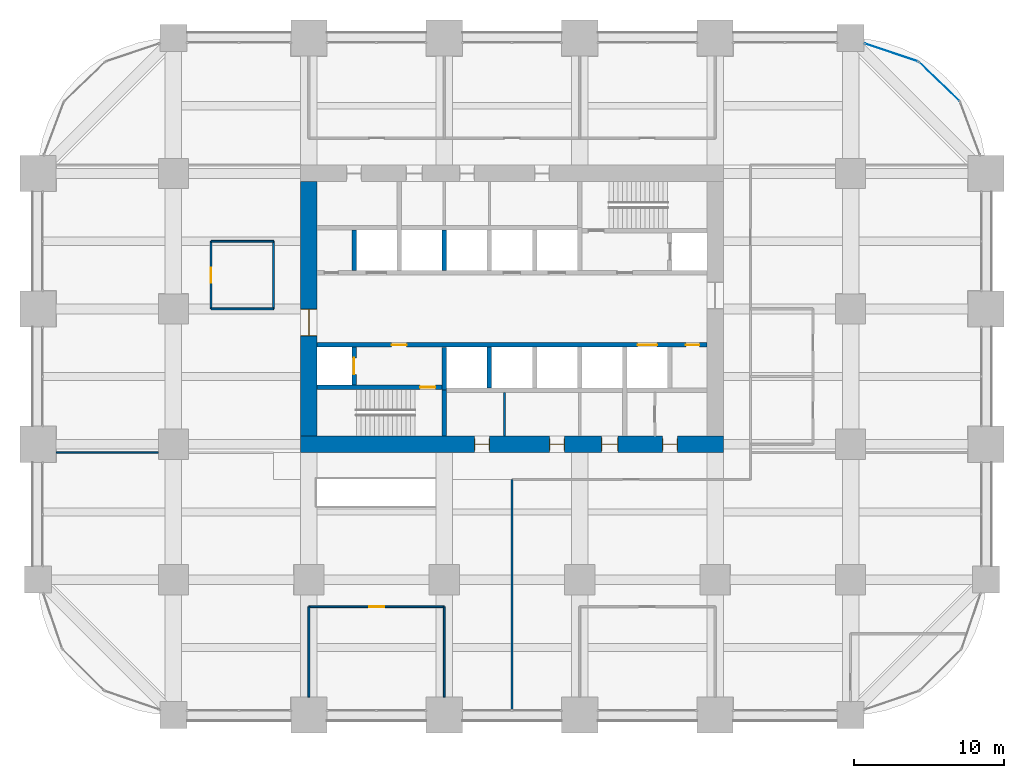
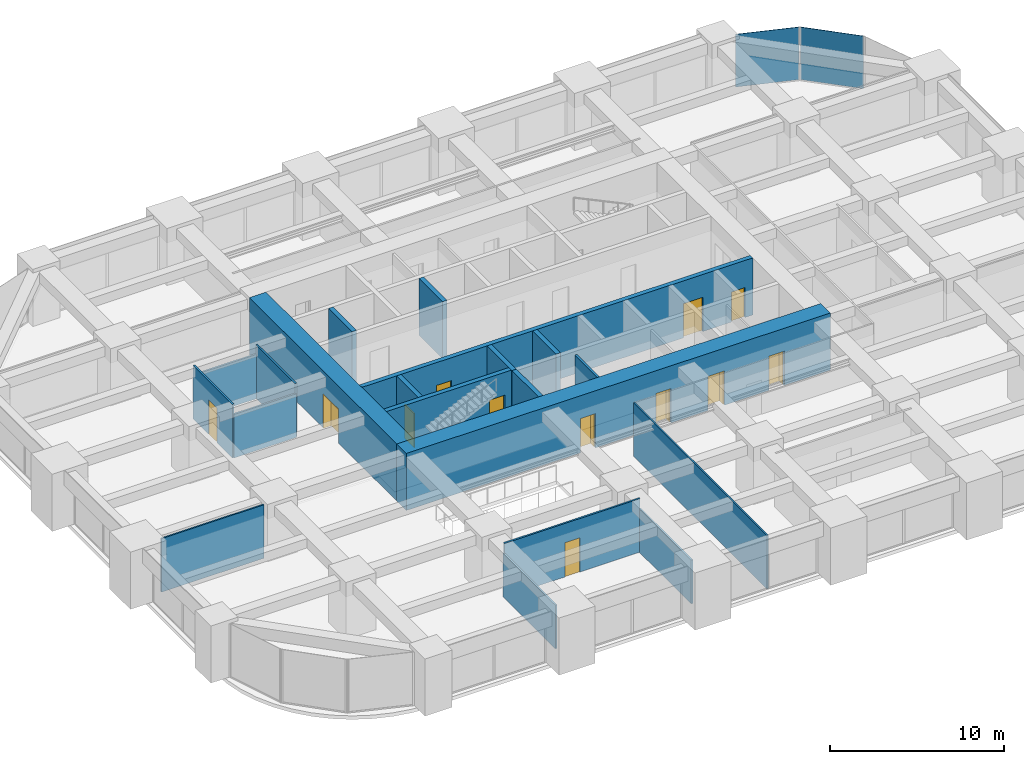
# One storey, part 36 of 39: 20 walls, 12 doors, 2 plates, 12 openings, 2 elements without a shape of their own.
"""IFC4 building model written with IfcOpenShell, lengths in metres."""

from ifc_helpers import new_model, si_unit, direction, frame, frame_2d, origin, origin_2d, place, context, subcontext, project, spatial, rectangle, extrude, material, layer, layer_set, type_object, element, fill, aggregate, save


model = new_model("IFC4")

# Units and contexts
model_context = context("Model", 3, precision=1e-05, world=origin(), true_north=direction((0.0, 1.0)))
body_context = subcontext(model_context, "Body", "Model", "MODEL_VIEW")
ifc_project = project(units=[si_unit("LENGTHUNIT", "METRE"), si_unit("AREAUNIT", "SQUARE_METRE"), si_unit("VOLUMEUNIT", "CUBIC_METRE"), si_unit("PLANEANGLEUNIT", "RADIAN"), si_unit("MASSUNIT", "GRAM", prefix="KILO")], contexts=[model_context])

# Site, building, storey
site_placement = place(None, origin())
site = spatial("IfcSite", under=ifc_project, at=site_placement, CompositionType="ELEMENT")
building_placement = place(site_placement, origin())
building = spatial("IfcBuilding", under=site, at=building_placement, Name="Zorevar Civic Tower", CompositionType="ELEMENT")
storey_placement = place(building_placement, frame((0.0, 0.0, 121.0)))
storey = spatial("IfcBuildingStorey", under=building, at=storey_placement, Name="L29", CompositionType="ELEMENT", Elevation=121.0)

# Curtain wall, plate
ifc_material_1 = material(Name="Dark grey solar-control glass in black aluminium frame", Category="aluminium")
curtain_wall_type = type_object("IfcCurtainWallType", Name="Curtain wall CW3 mid zone", PredefinedType="NOTDEFINED", material=ifc_material_1)
curtain_wall_1_placement = place(storey_placement, origin())
curtain_wall_1 = element("IfcCurtainWall", 1, at=curtain_wall_1_placement, inside=storey, type_object=curtain_wall_type, Name="CW3 L29", PredefinedType="NOTDEFINED")
ifc_material_2 = material(Name="Dark grey solar-control glass", Category="glass")
ifc_layer_1 = layer(ifc_material_2, 0.030029296875)
ifc_layer_set_1 = layer_set([ifc_layer_1], Name="CW3 panel 30")
plate_type = type_object("IfcPlateType", Name="CW3 panel 30", PredefinedType="CURTAIN_PANEL", material=ifc_layer_set_1)
plate_1_placement = place(storey_placement, frame((59.896484375, 42.10498046875, 0.06005859375), z_axis=(0.0, 0.0, 1.0), x_axis=(-0.719281160023, 0.694719089155, 0.0)))
plate_1 = element("IfcPlate", 2, at=plate_1_placement, type_object=plate_type, Name="CW3 panel 1.1", PredefinedType="CURTAIN_PANEL", context=body_context, shape_type="SweptSolid", body=[
    extrude(rectangle(XDim=3.7021484375, YDim=0.030029296875, at=origin_2d()), origin(), (0.0, 0.0, 1.0), 3.68994140625),
])
aggregate(curtain_wall_1, [plate_1])

curtain_wall_2_placement = place(storey_placement, origin())
curtain_wall_2 = element("IfcCurtainWall", 3, at=curtain_wall_2_placement, inside=storey, type_object=curtain_wall_type, Name="CW3 L29", PredefinedType="NOTDEFINED")
plate_2_placement = place(storey_placement, frame((56.7109375, 44.04296875, 0.06005859375), z_axis=(0.0, 0.0, 1.0), x_axis=(-0.947615765406, 0.319412525043, 0.0)))
plate_2 = element("IfcPlate", 4, at=plate_2_placement, type_object=plate_type, Name="CW3 panel 1.1", PredefinedType="CURTAIN_PANEL", context=body_context, shape_type="SweptSolid", body=[
    extrude(rectangle(XDim=3.7021484375, YDim=0.030029296875, at=origin_2d()), origin(), (0.0, 0.0, 1.0), 3.68994140625),
])
aggregate(curtain_wall_2, [plate_2])

# Wall, openings, doors
ifc_material_3 = material(Name="Concrete C50/60", Category="concrete")
ifc_layer_2 = layer(ifc_material_3, 1.10009765625)
ifc_layer_set_2 = layer_set([ifc_layer_2], Name="Core wall 1100")
wall_type_1 = type_object("IfcWallType", Name="Core wall 1100", PredefinedType="SHEAR", material=ifc_layer_set_2)
wall_1_placement = place(storey_placement, frame((17.449951171875, 18.0, 0.0), z_axis=(0.0, 0.0, 1.0), x_axis=(1.0, 0.0, 0.0)))
wall_1 = element("IfcWall", 5, at=wall_1_placement, inside=storey, type_object=wall_type_1, Name="Core wall S L29", PredefinedType="SHEAR", context=body_context, shape_type="SweptSolid", body=[
    extrude(rectangle(XDim=28.10009765625, YDim=1.10009765625, at=frame_2d((14.050048828125, 0.0))), origin(), (0.0, 0.0, 1.0), 4.0),
])
opening_1_placement = place(wall_1_placement, frame((11.550048828125, 0.0, 0.0)))
opening_1 = element("IfcOpeningElement", 6, at=opening_1_placement, cuts=wall_1, Name="Opening L29.03", PredefinedType="OPENING", context=body_context, shape_type="SweptSolid", body=[
    extrude(rectangle(XDim=1.0, YDim=2.39990234375, at=frame_2d((0.5, 1.199951171875))), frame((0.0, 0.56005859375, 0.0), z_axis=(0.0, -1.0, 0.0), x_axis=(1.0, 0.0, 0.0)), (0.0, 0.0, 1.0), 1.1201171875),
])
opening_2_placement = place(wall_1_placement, frame((16.550048828125, 0.0, 0.0)))
opening_2 = element("IfcOpeningElement", 7, at=opening_2_placement, cuts=wall_1, Name="Opening L29.04", PredefinedType="OPENING", context=body_context, shape_type="SweptSolid", body=[
    extrude(rectangle(XDim=1.0, YDim=2.39990234375, at=frame_2d((0.5, 1.199951171875))), frame((0.0, 0.56005859375, 0.0), z_axis=(0.0, -1.0, 0.0), x_axis=(1.0, 0.0, 0.0)), (0.0, 0.0, 1.0), 1.1201171875),
])
opening_3_placement = place(wall_1_placement, frame((20.0, 0.0, 0.0)))
opening_3 = element("IfcOpeningElement", 8, at=opening_3_placement, cuts=wall_1, Name="Opening L29.05", PredefinedType="OPENING", context=body_context, shape_type="SweptSolid", body=[
    extrude(rectangle(XDim=1.10009765625, YDim=2.39990234375, at=frame_2d((0.550048828125, 1.199951171875))), frame((0.0, 0.56005859375, 0.0), z_axis=(0.0, -1.0, 0.0), x_axis=(1.0, 0.0, 0.0)), (0.0, 0.0, 1.0), 1.1201171875),
])
opening_4_placement = place(wall_1_placement, frame((24.050048828125, 0.0, 0.0)))
opening_4 = element("IfcOpeningElement", 9, at=opening_4_placement, cuts=wall_1, Name="Opening L29.06", PredefinedType="OPENING", context=body_context, shape_type="SweptSolid", body=[
    extrude(rectangle(XDim=1.0, YDim=2.39990234375, at=frame_2d((0.5, 1.199951171875))), frame((0.0, 0.56005859375, 0.0), z_axis=(0.0, -1.0, 0.0), x_axis=(1.0, 0.0, 0.0)), (0.0, 0.0, 1.0), 1.1201171875),
])
ifc_material_4 = material(Name="Timber door set", Category="wood")
door_type_1 = type_object("IfcDoorType", Name="Door D1 1000x2400", OperationType="SINGLE_SWING_LEFT", PredefinedType="DOOR", material=ifc_material_4)
door_1_placement = place(opening_1_placement, origin())
door_1 = element("IfcDoor", 10, at=door_1_placement, inside=storey, type_object=door_type_1, Name="Door L29 02", OperationType="SINGLE_SWING_RIGHT", OverallHeight=2.39990234375, OverallWidth=1.0, PredefinedType="DOOR", context=body_context, shape_type="SweptSolid", body=[
    extrude(rectangle(XDim=1.0, YDim=2.39990234375, at=frame_2d((0.5, 1.199951171875))), frame((0.0, 0.02490234375, 0.0), z_axis=(0.0, -1.0, 0.0), x_axis=(1.0, 0.0, 0.0)), (0.0, 0.0, 1.0), 0.050048828125),
    extrude(rectangle(XDim=0.04, YDim=2.39990234375, at=frame_2d((0.02001953125, 1.199951171875))), frame((0.0, 0.39990234375, 0.0), z_axis=(0.0, -1.0, 0.0), x_axis=(1.0, 0.0, 0.0)), (0.0, 0.0, 1.0), 0.800048828125),
    extrude(rectangle(XDim=0.04, YDim=2.39990234375, at=frame_2d((0.97998046875, 1.199951171875))), frame((0.0, 0.39990234375, 0.0), z_axis=(0.0, -1.0, 0.0), x_axis=(1.0, 0.0, 0.0)), (0.0, 0.0, 1.0), 0.800048828125),
    extrude(rectangle(XDim=1.0, YDim=0.04, at=frame_2d((0.5, 2.3798828125))), frame((0.0, 0.39990234375, 0.0), z_axis=(0.0, -1.0, 0.0), x_axis=(1.0, 0.0, 0.0)), (0.0, 0.0, 1.0), 0.800048828125),
])
fill(opening_1, door_1)
door_2_placement = place(opening_2_placement, origin())
door_2 = element("IfcDoor", 11, at=door_2_placement, inside=storey, type_object=door_type_1, Name="Door L29 03", OperationType="SINGLE_SWING_LEFT", OverallHeight=2.39990234375, OverallWidth=1.0, PredefinedType="DOOR", context=body_context, shape_type="SweptSolid", body=[
    extrude(rectangle(XDim=1.0, YDim=2.39990234375, at=frame_2d((0.5, 1.199951171875))), frame((0.0, 0.02490234375, 0.0), z_axis=(0.0, -1.0, 0.0), x_axis=(1.0, 0.0, 0.0)), (0.0, 0.0, 1.0), 0.050048828125),
    extrude(rectangle(XDim=0.04, YDim=2.39990234375, at=frame_2d((0.02001953125, 1.199951171875))), frame((0.0, 0.39990234375, 0.0), z_axis=(0.0, -1.0, 0.0), x_axis=(1.0, 0.0, 0.0)), (0.0, 0.0, 1.0), 0.800048828125),
    extrude(rectangle(XDim=0.04, YDim=2.39990234375, at=frame_2d((0.97998046875, 1.199951171875))), frame((0.0, 0.39990234375, 0.0), z_axis=(0.0, -1.0, 0.0), x_axis=(1.0, 0.0, 0.0)), (0.0, 0.0, 1.0), 0.800048828125),
    extrude(rectangle(XDim=1.0, YDim=0.04, at=frame_2d((0.5, 2.3798828125))), frame((0.0, 0.39990234375, 0.0), z_axis=(0.0, -1.0, 0.0), x_axis=(1.0, 0.0, 0.0)), (0.0, 0.0, 1.0), 0.800048828125),
])
fill(opening_2, door_2)
door_3_placement = place(opening_4_placement, origin())
door_3 = element("IfcDoor", 12, at=door_3_placement, inside=storey, type_object=door_type_1, Name="Door L29 05", OperationType="SINGLE_SWING_LEFT", OverallHeight=2.39990234375, OverallWidth=1.0, PredefinedType="DOOR", context=body_context, shape_type="SweptSolid", body=[
    extrude(rectangle(XDim=1.0, YDim=2.39990234375, at=frame_2d((0.5, 1.199951171875))), frame((0.0, 0.02490234375, 0.0), z_axis=(0.0, -1.0, 0.0), x_axis=(1.0, 0.0, 0.0)), (0.0, 0.0, 1.0), 0.050048828125),
    extrude(rectangle(XDim=0.04, YDim=2.39990234375, at=frame_2d((0.02001953125, 1.199951171875))), frame((0.0, 0.39990234375, 0.0), z_axis=(0.0, -1.0, 0.0), x_axis=(1.0, 0.0, 0.0)), (0.0, 0.0, 1.0), 0.800048828125),
    extrude(rectangle(XDim=0.04, YDim=2.39990234375, at=frame_2d((0.97998046875, 1.199951171875))), frame((0.0, 0.39990234375, 0.0), z_axis=(0.0, -1.0, 0.0), x_axis=(1.0, 0.0, 0.0)), (0.0, 0.0, 1.0), 0.800048828125),
    extrude(rectangle(XDim=1.0, YDim=0.04, at=frame_2d((0.5, 2.3798828125))), frame((0.0, 0.39990234375, 0.0), z_axis=(0.0, -1.0, 0.0), x_axis=(1.0, 0.0, 0.0)), (0.0, 0.0, 1.0), 0.800048828125),
])
fill(opening_4, door_3)
ifc_material_5 = material(Name="Timber door set", Category="wood")
door_type_2 = type_object("IfcDoorType", Name="Door D5 1100x2400", OperationType="SINGLE_SWING_LEFT", PredefinedType="DOOR", material=ifc_material_5)
door_4_placement = place(opening_3_placement, origin())
door_4 = element("IfcDoor", 13, at=door_4_placement, inside=storey, type_object=door_type_2, Name="Door L29 04", OperationType="SINGLE_SWING_LEFT", OverallHeight=2.39990234375, OverallWidth=1.10009765625, PredefinedType="DOOR", context=body_context, shape_type="SweptSolid", body=[
    extrude(rectangle(XDim=1.10009765625, YDim=2.39990234375, at=frame_2d((0.550048828125, 1.199951171875))), frame((0.0, 0.02490234375, 0.0), z_axis=(0.0, -1.0, 0.0), x_axis=(1.0, 0.0, 0.0)), (0.0, 0.0, 1.0), 0.050048828125),
    extrude(rectangle(XDim=0.04, YDim=2.39990234375, at=frame_2d((0.02001953125, 1.199951171875))), frame((0.0, 0.43994140625, 0.0), z_axis=(0.0, -1.0, 0.0), x_axis=(1.0, 0.0, 0.0)), (0.0, 0.0, 1.0), 0.880126953125),
    extrude(rectangle(XDim=0.04, YDim=2.39990234375, at=frame_2d((1.080078125, 1.199951171875))), frame((0.0, 0.43994140625, 0.0), z_axis=(0.0, -1.0, 0.0), x_axis=(1.0, 0.0, 0.0)), (0.0, 0.0, 1.0), 0.880126953125),
    extrude(rectangle(XDim=1.10009765625, YDim=0.04, at=frame_2d((0.550048828125, 2.3798828125))), frame((0.0, 0.43994140625, 0.0), z_axis=(0.0, -1.0, 0.0), x_axis=(1.0, 0.0, 0.0)), (0.0, 0.0, 1.0), 0.880126953125),
])
fill(opening_3, door_4)

# Wall, opening, door
wall_2_placement = place(storey_placement, frame((18.0, 35.449951171875, 0.0), z_axis=(0.0, 0.0, 1.0), x_axis=(0.0, -1.0, 0.0)))
wall_2 = element("IfcWall", 14, at=wall_2_placement, inside=storey, type_object=wall_type_1, Name="Core wall W L29", PredefinedType="SHEAR", context=body_context, shape_type="SweptSolid", body=[
    extrude(rectangle(XDim=16.89990234375, YDim=1.10009765625, at=frame_2d((8.449951171875, 0.0))), origin(), (0.0, 0.0, 1.0), 4.0),
])
opening_5_placement = place(wall_2_placement, frame((8.449951171875, 0.0, 0.0)))
opening_5 = element("IfcOpeningElement", 15, at=opening_5_placement, cuts=wall_2, Name="Opening L29.01", PredefinedType="OPENING", context=body_context, shape_type="SweptSolid", body=[
    extrude(rectangle(XDim=1.800048828125, YDim=2.39990234375, at=frame_2d((0.89990234375, 1.199951171875))), frame((0.0, 0.56005859375, 0.0), z_axis=(0.0, -1.0, 0.0), x_axis=(1.0, 0.0, 0.0)), (0.0, 0.0, 1.0), 1.1201171875),
])
ifc_material_6 = material(Name="Steel door set", Category="steel")
door_type_3 = type_object("IfcDoorType", Name="Fire door FD2 1800x2400", OperationType="DOUBLE_DOOR_DOUBLE_SWING", PredefinedType="DOOR", material=ifc_material_6)
door_5_placement = place(opening_5_placement, origin())
door_5 = element("IfcDoor", 16, at=door_5_placement, inside=storey, type_object=door_type_3, Name="Door L29 00", OperationType="DOUBLE_DOOR_DOUBLE_SWING", OverallHeight=2.39990234375, OverallWidth=1.800048828125, PredefinedType="DOOR", context=body_context, shape_type="SweptSolid", body=[
    extrude(rectangle(XDim=1.800048828125, YDim=2.39990234375, at=frame_2d((0.89990234375, 1.199951171875))), frame((0.0, 0.030029296875, 0.0), z_axis=(0.0, -1.0, 0.0), x_axis=(1.0, 0.0, 0.0)), (0.0, 0.0, 1.0), 0.06005859375),
    extrude(rectangle(XDim=0.04, YDim=2.39990234375, at=frame_2d((0.02001953125, 1.199951171875))), frame((0.0, 0.5498046875, 0.0), z_axis=(0.0, -1.0, 0.0), x_axis=(1.0, 0.0, 0.0)), (0.0, 0.0, 1.0), 1.099609375),
    extrude(rectangle(XDim=0.04, YDim=2.39990234375, at=frame_2d((1.780029296875, 1.199951171875))), frame((0.0, 0.5498046875, 0.0), z_axis=(0.0, -1.0, 0.0), x_axis=(1.0, 0.0, 0.0)), (0.0, 0.0, 1.0), 1.099609375),
    extrude(rectangle(XDim=1.800048828125, YDim=0.04, at=frame_2d((0.89990234375, 2.3798828125))), frame((0.0, 0.5498046875, 0.0), z_axis=(0.0, -1.0, 0.0), x_axis=(1.0, 0.0, 0.0)), (0.0, 0.0, 1.0), 1.099609375),
])
fill(opening_5, door_5)

# Walls
ifc_material_7 = material(Name="Laminated glass in black aluminium frame", Category="aluminium")
ifc_layer_3 = layer(ifc_material_7, 0.10009765625)
ifc_layer_set_3 = layer_set([ifc_layer_3], Name="Glazed partition 100")
wall_type_2 = type_object("IfcWallType", Name="Glazed partition 100", PredefinedType="PARTITIONING", material=ifc_layer_set_3)
wall_3_placement = place(storey_placement, frame((1.199951171875, 17.449951171875, 0.0), z_axis=(0.0, 0.0, 1.0), x_axis=(1.0, 0.0, 0.0)))
element("IfcWall", 17, at=wall_3_placement, inside=storey, type_object=wall_type_2, Name="Glazed partition 100 L29", PredefinedType="PARTITIONING", context=body_context, shape_type="SweptSolid", body=[
    extrude(rectangle(XDim=6.800048828125, YDim=0.10009765625, at=frame_2d((3.39990234375, 0.0))), origin(), (0.0, 0.0, 1.0), 3.75),
])
wall_4_placement = place(storey_placement, frame((31.5, 0.31005859375, 0.0), z_axis=(0.0, 0.0, 1.0), x_axis=(0.0, 1.0, 0.0)))
element("IfcWall", 18, at=wall_4_placement, inside=storey, type_object=wall_type_2, Name="Glazed partition 100 L29", PredefinedType="PARTITIONING", context=body_context, shape_type="SweptSolid", body=[
    extrude(rectangle(XDim=15.33984375, YDim=0.10009765625, at=frame_2d((7.669921875, 0.0))), origin(), (0.0, 0.0, 1.0), 3.75),
])

# Wall, opening, door
ifc_material_8 = material(Name="Concrete C40/50", Category="concrete")
ifc_layer_4 = layer(ifc_material_8, 0.300048828125)
ifc_layer_set_4 = layer_set([ifc_layer_4], Name="Inner core wall 300")
wall_type_3 = type_object("IfcWallType", Name="Inner core wall 300", PredefinedType="SHEAR", material=ifc_layer_set_4)
wall_5_placement = place(storey_placement, frame((18.550048828125, 21.800048828125, 0.0), z_axis=(0.0, 0.0, 1.0), x_axis=(1.0, 0.0, 0.0)))
wall_5 = element("IfcWall", 19, at=wall_5_placement, inside=storey, type_object=wall_type_3, Name="Inner core wall S00 L29", PredefinedType="SHEAR", context=body_context, shape_type="SweptSolid", body=[
    extrude(rectangle(XDim=8.300048828125, YDim=0.300048828125, at=frame_2d((4.14990234375, 0.0))), origin(), (0.0, 0.0, 1.0), 4.0),
])
opening_6_placement = place(wall_5_placement, frame((6.85009765625, 0.0, 0.0)))
opening_6 = element("IfcOpeningElement", 20, at=opening_6_placement, cuts=wall_5, Name="Opening L29.11", PredefinedType="OPENING", context=body_context, shape_type="SweptSolid", body=[
    extrude(rectangle(XDim=1.0, YDim=2.39990234375, at=frame_2d((0.5, 1.199951171875))), frame((0.0, 0.159912109375, 0.0), z_axis=(0.0, -1.0, 0.0), x_axis=(1.0, 0.0, 0.0)), (0.0, 0.0, 1.0), 0.320068359375),
])
ifc_material_9 = material(Name="Steel door set", Category="steel")
door_type_4 = type_object("IfcDoorType", Name="Fire door FD1 1000x2400", OperationType="SINGLE_SWING_LEFT", PredefinedType="DOOR", material=ifc_material_9)
door_6_placement = place(opening_6_placement, origin())
door_6 = element("IfcDoor", 21, at=door_6_placement, inside=storey, type_object=door_type_4, Name="Door L29 10", OperationType="SINGLE_SWING_RIGHT", OverallHeight=2.39990234375, OverallWidth=1.0, PredefinedType="DOOR", context=body_context, shape_type="SweptSolid", body=[
    extrude(rectangle(XDim=1.0, YDim=2.39990234375, at=frame_2d((0.5, 1.199951171875))), frame((0.0, 0.030029296875, 0.0), z_axis=(0.0, -1.0, 0.0), x_axis=(1.0, 0.0, 0.0)), (0.0, 0.0, 1.0), 0.06005859375),
])
fill(opening_6, door_6)

# Wall
wall_6_placement = place(storey_placement, frame((27.0, 18.550048828125, 0.0), z_axis=(0.0, 0.0, 1.0), x_axis=(0.0, 1.0, 0.0)))
element("IfcWall", 22, at=wall_6_placement, inside=storey, type_object=wall_type_3, Name="Inner core wall S01 L29", PredefinedType="SHEAR", context=body_context, shape_type="SweptSolid", body=[
    extrude(rectangle(XDim=3.050048828125, YDim=0.300048828125, at=frame_2d((1.52490234375, 0.0))), origin(), (0.0, 0.0, 1.0), 4.0),
])

# Wall, opening, door
wall_7_placement = place(storey_placement, frame((21.0, 21.949951171875, 0.0), z_axis=(0.0, 0.0, 1.0), x_axis=(0.0, 1.0, 0.0)))
wall_7 = element("IfcWall", 23, at=wall_7_placement, inside=storey, type_object=wall_type_3, Name="Inner core wall S02 L29", PredefinedType="SHEAR", context=body_context, shape_type="SweptSolid", body=[
    extrude(rectangle(XDim=2.5, YDim=0.300048828125, at=frame_2d((1.25, 0.0))), origin(), (0.0, 0.0, 1.0), 4.0),
])
opening_7_placement = place(wall_7_placement, frame((0.699951171875, 0.0, 0.0)))
opening_7 = element("IfcOpeningElement", 24, at=opening_7_placement, cuts=wall_7, Name="Opening L29.FL1", PredefinedType="OPENING", context=body_context, shape_type="SweptSolid", body=[
    extrude(rectangle(XDim=1.10009765625, YDim=2.39990234375, at=frame_2d((0.550048828125, 1.199951171875))), frame((0.0, 0.159912109375, 0.0), z_axis=(0.0, -1.0, 0.0), x_axis=(1.0, 0.0, 0.0)), (0.0, 0.0, 1.0), 0.320068359375),
])
ifc_material_10 = material(Name="Steel door set", Category="steel")
door_type_5 = type_object("IfcDoorType", Name="Firefighting lift landing door LD3 1100x2400", OperationType="DOUBLE_DOOR_SLIDING", PredefinedType="DOOR", material=ifc_material_10)
door_7_placement = place(opening_7_placement, origin())
door_7 = element("IfcDoor", 25, at=door_7_placement, inside=storey, type_object=door_type_5, Name="Landing door FL1 L29", OperationType="DOUBLE_DOOR_SLIDING", OverallHeight=2.39990234375, OverallWidth=1.10009765625, PredefinedType="DOOR", context=body_context, shape_type="SweptSolid", body=[
    extrude(rectangle(XDim=1.10009765625, YDim=2.39990234375, at=frame_2d((0.550048828125, 1.199951171875))), frame((0.0, 0.030029296875, 0.0), z_axis=(0.0, -1.0, 0.0), x_axis=(1.0, 0.0, 0.0)), (0.0, 0.0, 1.0), 0.06005859375),
])
fill(opening_7, door_7)

# Wall, openings, doors
wall_8_placement = place(storey_placement, frame((18.550048828125, 24.60009765625, 0.0), z_axis=(0.0, 0.0, 1.0), x_axis=(1.0, 0.0, 0.0)))
wall_8 = element("IfcWall", 26, at=wall_8_placement, inside=storey, type_object=wall_type_3, Name="Inner core wall S03 L29", PredefinedType="SHEAR", context=body_context, shape_type="SweptSolid", body=[
    extrude(rectangle(XDim=25.89990234375, YDim=0.300048828125, at=frame_2d((12.949951171875, 0.0))), origin(), (0.0, 0.0, 1.0), 4.0),
])
opening_8_placement = place(wall_8_placement, frame((4.949951171875, 0.0, 0.0)))
opening_8 = element("IfcOpeningElement", 27, at=opening_8_placement, cuts=wall_8, Name="Opening L29.13", PredefinedType="OPENING", context=body_context, shape_type="SweptSolid", body=[
    extrude(rectangle(XDim=1.0, YDim=2.39990234375, at=frame_2d((0.5, 1.199951171875))), frame((0.0, 0.159912109375, 0.0), z_axis=(0.0, -1.0, 0.0), x_axis=(1.0, 0.0, 0.0)), (0.0, 0.0, 1.0), 0.320068359375),
])
opening_9_placement = place(wall_8_placement, frame((24.5, 0.0, 0.0)))
opening_9 = element("IfcOpeningElement", 28, at=opening_9_placement, cuts=wall_8, Name="Opening L29.15", PredefinedType="OPENING", context=body_context, shape_type="SweptSolid", body=[
    extrude(rectangle(XDim=0.89990234375, YDim=2.10009765625, at=frame_2d((0.449951171875, 1.050048828125))), frame((0.0, 0.159912109375, 0.0), z_axis=(0.0, -1.0, 0.0), x_axis=(1.0, 0.0, 0.0)), (0.0, 0.0, 1.0), 0.320068359375),
])
opening_10_placement = place(wall_8_placement, frame((21.300048828125, 0.0, 0.0)))
opening_10 = element("IfcOpeningElement", 29, at=opening_10_placement, cuts=wall_8, Name="Opening L29.SL1", PredefinedType="OPENING", context=body_context, shape_type="SweptSolid", body=[
    extrude(rectangle(XDim=1.300048828125, YDim=2.39990234375, at=frame_2d((0.64990234375, 1.199951171875))), frame((0.0, 0.159912109375, 0.0), z_axis=(0.0, -1.0, 0.0), x_axis=(1.0, 0.0, 0.0)), (0.0, 0.0, 1.0), 0.320068359375),
])
door_8_placement = place(opening_8_placement, origin())
door_8 = element("IfcDoor", 30, at=door_8_placement, inside=storey, type_object=door_type_4, Name="Door L29 12", OperationType="SINGLE_SWING_RIGHT", OverallHeight=2.39990234375, OverallWidth=1.0, PredefinedType="DOOR", context=body_context, shape_type="SweptSolid", body=[
    extrude(rectangle(XDim=1.0, YDim=2.39990234375, at=frame_2d((0.5, 1.199951171875))), frame((0.0, 0.030029296875, 0.0), z_axis=(0.0, -1.0, 0.0), x_axis=(1.0, 0.0, 0.0)), (0.0, 0.0, 1.0), 0.06005859375),
])
fill(opening_8, door_8)
ifc_material_11 = material(Name="Steel door set", Category="steel")
door_type_6 = type_object("IfcDoorType", Name="Landing door LD2 1300x2400", OperationType="DOUBLE_DOOR_SLIDING", PredefinedType="DOOR", material=ifc_material_11)
door_9_placement = place(opening_10_placement, origin())
door_9 = element("IfcDoor", 31, at=door_9_placement, inside=storey, type_object=door_type_6, Name="Landing door SL1 L29", OperationType="DOUBLE_DOOR_SLIDING", OverallHeight=2.39990234375, OverallWidth=1.300048828125, PredefinedType="DOOR", context=body_context, shape_type="SweptSolid", body=[
    extrude(rectangle(XDim=1.300048828125, YDim=2.39990234375, at=frame_2d((0.64990234375, 1.199951171875))), frame((0.0, 0.02001953125, 0.0), z_axis=(0.0, -1.0, 0.0), x_axis=(1.0, 0.0, 0.0)), (0.0, 0.0, 1.0), 0.0400390625),
])
fill(opening_10, door_9)
ifc_material_12 = material(Name="Steel door set", Category="steel")
door_type_7 = type_object("IfcDoorType", Name="Riser door RD1 900x2100", OperationType="SINGLE_SWING_LEFT", PredefinedType="DOOR", material=ifc_material_12)
door_10_placement = place(opening_9_placement, origin())
door_10 = element("IfcDoor", 32, at=door_10_placement, inside=storey, type_object=door_type_7, Name="Door L29 14", OperationType="SINGLE_SWING_RIGHT", OverallHeight=2.10009765625, OverallWidth=0.89990234375, PredefinedType="DOOR", context=body_context, shape_type="SweptSolid", body=[
    extrude(rectangle(XDim=0.89990234375, YDim=2.10009765625, at=frame_2d((0.449951171875, 1.050048828125))), frame((0.0, 0.030029296875, 0.0), z_axis=(0.0, -1.0, 0.0), x_axis=(1.0, 0.0, 0.0)), (0.0, 0.0, 1.0), 0.06005859375),
])
fill(opening_9, door_10)

# Walls
for number, where, z_axis, x_axis, name in (
    (33, (30.0, 21.75, 0.0), (0.0, 0.0, 1.0), (0.0, 1.0, 0.0), "Inner core wall S05 L29"),
    (34, (27.0, 29.550048828125, 0.0), (0.0, 0.0, 1.0), (0.0, 1.0, 0.0), "Inner core wall N07 L29"),
    (35, (21.0, 29.550048828125, 0.0), (0.0, 0.0, 1.0), (0.0, 1.0, 0.0), "Inner core wall N09 L29"),
):
    element("IfcWall", number, at=place(storey_placement, frame(where, z_axis=z_axis, x_axis=x_axis)), inside=storey, type_object=wall_type_3, Name=name, PredefinedType="SHEAR", context=body_context, shape_type="SweptSolid", body=[
        extrude(rectangle(XDim=2.699951171875, YDim=0.300048828125, at=frame_2d((1.35009765625, 0.0))), origin(), (0.0, 0.0, 1.0), 4.0),
    ])
wall_9_placement = place(storey_placement, frame((27.0, 21.60009765625, 0.0), z_axis=(0.0, 0.0, 1.0), x_axis=(0.0, 1.0, 0.0)))
element("IfcWall", 36, at=wall_9_placement, inside=storey, type_object=wall_type_3, Name="Inner core wall S10 L29", PredefinedType="SHEAR", context=body_context, shape_type="SweptSolid", body=[
    extrude(rectangle(XDim=2.849853515625, YDim=0.300048828125, at=frame_2d((1.4248046875, 0.0))), origin(), (0.0, 0.0, 1.0), 4.0),
])

# Wall, opening, door
ifc_material_13 = material(Name="Gypsum board on steel studs", Category="steel")
ifc_layer_5 = layer(ifc_material_13, 0.1201171875)
ifc_layer_set_5 = layer_set([ifc_layer_5], Name="Partition 120")
wall_type_4 = type_object("IfcWallType", Name="Partition 120", PredefinedType="PARTITIONING", material=ifc_layer_set_5)
wall_10_placement = place(storey_placement, frame((18.0, 7.199951171875, 0.0), z_axis=(0.0, 0.0, 1.0), x_axis=(1.0, 0.0, 0.0)))
wall_10 = element("IfcWall", 37, at=wall_10_placement, inside=storey, type_object=wall_type_4, Name="Partition 120 L29", PredefinedType="PARTITIONING", context=body_context, shape_type="SweptSolid", body=[
    extrude(rectangle(XDim=9.0, YDim=0.1201171875, at=frame_2d((4.5, 0.0))), origin(), (0.0, 0.0, 1.0), 3.75),
])
opening_11_placement = place(wall_10_placement, frame((4.0, 0.0, 0.0)))
opening_11 = element("IfcOpeningElement", 38, at=opening_11_placement, cuts=wall_10, Name="Opening L29.17", PredefinedType="OPENING", context=body_context, shape_type="SweptSolid", body=[
    extrude(rectangle(XDim=1.0, YDim=2.39990234375, at=frame_2d((0.5, 1.199951171875))), frame((0.0, 0.070068359375, 0.0), z_axis=(0.0, -1.0, 0.0), x_axis=(1.0, 0.0, 0.0)), (0.0, 0.0, 1.0), 0.14013671875),
])
door_11_placement = place(opening_11_placement, origin())
door_11 = element("IfcDoor", 39, at=door_11_placement, inside=storey, type_object=door_type_1, Name="Door L29 D1", OperationType="SINGLE_SWING_LEFT", OverallHeight=2.39990234375, OverallWidth=1.0, PredefinedType="DOOR", context=body_context, shape_type="SweptSolid", body=[
    extrude(rectangle(XDim=1.0, YDim=2.39990234375, at=frame_2d((0.5, 1.199951171875))), frame((0.0, 0.02490234375, 0.0), z_axis=(0.0, -1.0, 0.0), x_axis=(1.0, 0.0, 0.0)), (0.0, 0.0, 1.0), 0.050048828125),
])
fill(opening_11, door_11)

# Walls
wall_11_placement = place(storey_placement, frame((11.5, 27.0, 0.0), z_axis=(0.0, 0.0, 1.0), x_axis=(1.0, 0.0, 0.0)))
element("IfcWall", 40, at=wall_11_placement, inside=storey, type_object=wall_type_4, Name="Partition 120 L29", PredefinedType="PARTITIONING", context=body_context, shape_type="SweptSolid", body=[
    extrude(rectangle(XDim=4.14990234375, YDim=0.1201171875, at=frame_2d((2.074951171875, 0.0))), origin(), (0.0, 0.0, 1.0), 3.050048828125),
])
wall_12_placement = place(storey_placement, frame((11.5, 31.5, 0.0), z_axis=(0.0, 0.0, 1.0), x_axis=(1.0, 0.0, 0.0)))
element("IfcWall", 41, at=wall_12_placement, inside=storey, type_object=wall_type_4, Name="Partition 120 L29", PredefinedType="PARTITIONING", context=body_context, shape_type="SweptSolid", body=[
    extrude(rectangle(XDim=4.14990234375, YDim=0.1201171875, at=frame_2d((2.074951171875, 0.0))), origin(), (0.0, 0.0, 1.0), 3.10009765625),
])

# Wall, opening, door
wall_13_placement = place(storey_placement, frame((11.5, 27.0, 0.0), z_axis=(0.0, 0.0, 1.0), x_axis=(0.0, 1.0, 0.0)))
wall_13 = element("IfcWall", 42, at=wall_13_placement, inside=storey, type_object=wall_type_4, Name="Partition 120 L29", PredefinedType="PARTITIONING", context=body_context, shape_type="SweptSolid", body=[
    extrude(rectangle(XDim=4.5, YDim=0.1201171875, at=frame_2d((2.25, 0.0))), origin(), (0.0, 0.0, 1.0), 3.75),
])
opening_12_placement = place(wall_13_placement, frame((1.75, 0.0, 0.0)))
opening_12 = element("IfcOpeningElement", 43, at=opening_12_placement, cuts=wall_13, Name="Opening L29.23", PredefinedType="OPENING", context=body_context, shape_type="SweptSolid", body=[
    extrude(rectangle(XDim=1.0, YDim=2.39990234375, at=frame_2d((0.5, 1.199951171875))), frame((0.0, 0.070068359375, 0.0), z_axis=(0.0, -1.0, 0.0), x_axis=(1.0, 0.0, 0.0)), (0.0, 0.0, 1.0), 0.14013671875),
])
door_12_placement = place(opening_12_placement, origin())
door_12 = element("IfcDoor", 44, at=door_12_placement, inside=storey, type_object=door_type_1, Name="Door L29 D1", OperationType="SINGLE_SWING_LEFT", OverallHeight=2.39990234375, OverallWidth=1.0, PredefinedType="DOOR", context=body_context, shape_type="SweptSolid", body=[
    extrude(rectangle(XDim=1.0, YDim=2.39990234375, at=frame_2d((0.5, 1.199951171875))), frame((0.0, 0.02490234375, 0.0), z_axis=(0.0, -1.0, 0.0), x_axis=(1.0, 0.0, 0.0)), (0.0, 0.0, 1.0), 0.050048828125),
])
fill(opening_12, door_12)

# Walls
wall_14_placement = place(storey_placement, frame((15.64990234375, 27.0, 0.0), z_axis=(0.0, 0.0, 1.0), x_axis=(0.0, 1.0, 0.0)))
element("IfcWall", 45, at=wall_14_placement, inside=storey, type_object=wall_type_4, Name="Partition 120 L29", PredefinedType="PARTITIONING", context=body_context, shape_type="SweptSolid", body=[
    extrude(rectangle(XDim=4.5, YDim=0.1201171875, at=frame_2d((2.25, 0.0))), origin(), (0.0, 0.0, 1.0), 3.75),
])
for number, where, z_axis, x_axis, name in (
    (46, (18.0, 1.199951171875, 0.0), (0.0, 0.0, 1.0), (0.0, 1.0, 0.0), "Partition 120 L29"),
    (47, (27.0, 1.199951171875, 0.0), (0.0, 0.0, 1.0), (0.0, 1.0, 0.0), "Partition 120 L29"),
):
    element("IfcWall", number, at=place(storey_placement, frame(where, z_axis=z_axis, x_axis=x_axis)), inside=storey, type_object=wall_type_4, Name=name, PredefinedType="PARTITIONING", context=body_context, shape_type="SweptSolid", body=[
        extrude(rectangle(XDim=6.0, YDim=0.1201171875, at=frame_2d((3.0, 0.0))), origin(), (0.0, 0.0, 1.0), 3.050048828125),
    ])
ifc_material_14 = material(Name="Gypsum board on steel studs, moisture resistant", Category="steel")
ifc_layer_6 = layer(ifc_material_14, 0.14990234375)
ifc_layer_set_6 = layer_set([ifc_layer_6], Name="WC partition 150")
wall_type_5 = type_object("IfcWallType", Name="WC partition 150", PredefinedType="PARTITIONING", material=ifc_layer_set_6)
wall_15_placement = place(storey_placement, frame((31.0, 18.550048828125, 0.0), z_axis=(0.0, 0.0, 1.0), x_axis=(0.0, 1.0, 0.0)))
element("IfcWall", 48, at=wall_15_placement, inside=storey, type_object=wall_type_5, Name="WC partition L29", PredefinedType="PARTITIONING", context=body_context, shape_type="SweptSolid", body=[
    extrude(rectangle(XDim=2.89990234375, YDim=0.14990234375, at=frame_2d((1.449951171875, 0.0))), origin(), (0.0, 0.0, 1.0), 3.75),
])

save(model, "model.ifc")
